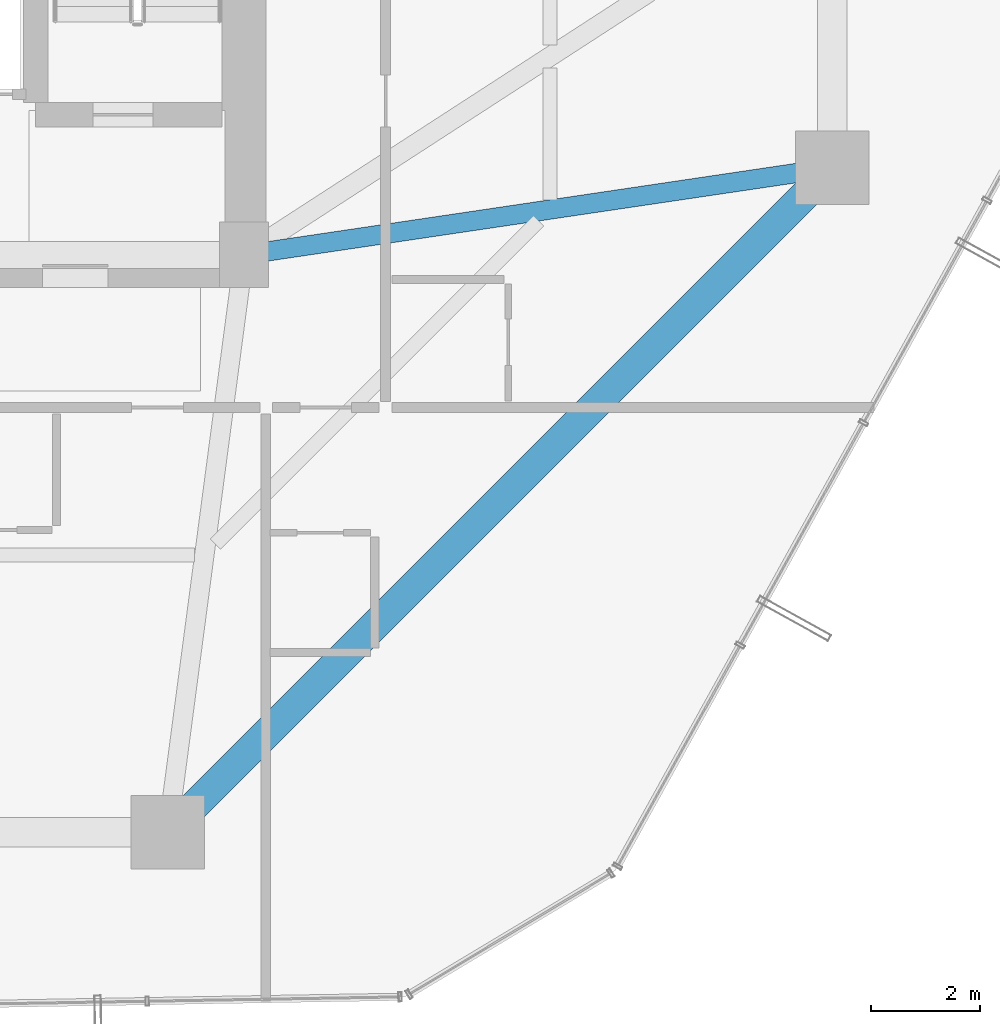
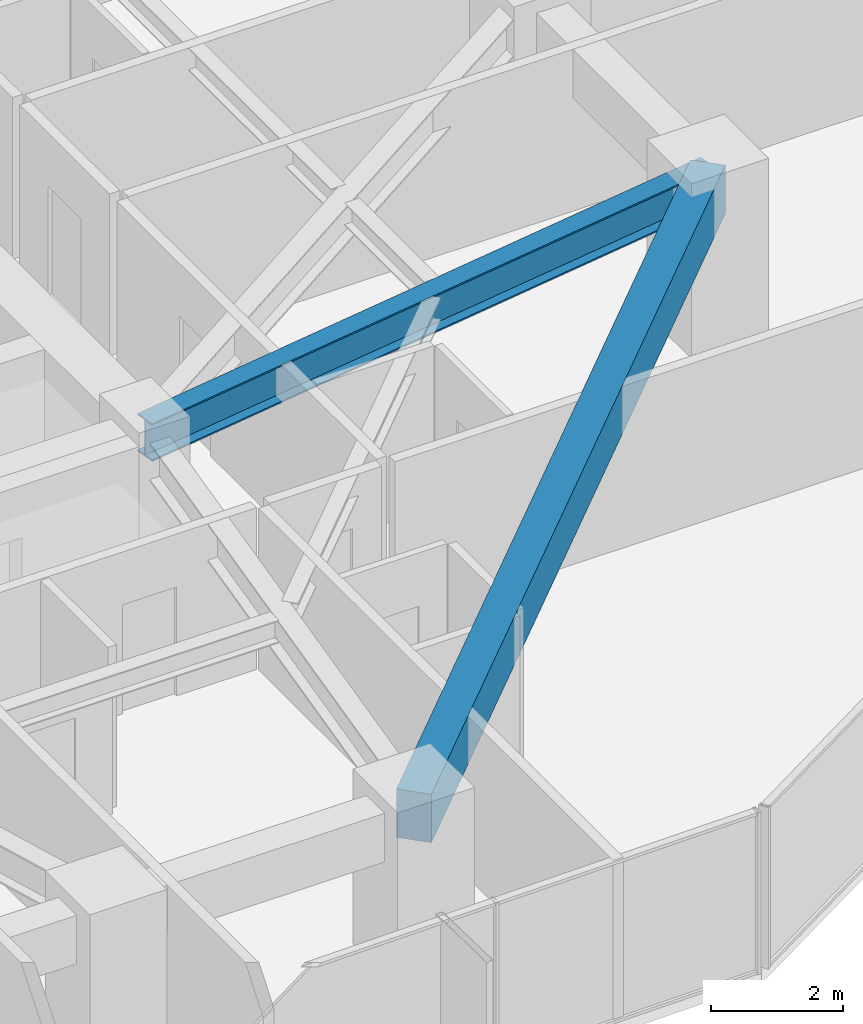
# One storey, part 15 of 39: 2 beams.
"""IFC4 building model written with IfcOpenShell, lengths in metres."""

from ifc_helpers import new_model, si_unit, direction, frame, origin, origin_2d, place, context, subcontext, project, spatial, rectangle, i_section, extrude, material, material_profile, profile_set, type_object, element, save


model = new_model("IFC4")

# Units and contexts
model_context = context("Model", 3, precision=1e-05, world=origin(), true_north=direction((0.0, 1.0)))
body_context = subcontext(model_context, "Body", "Model", "MODEL_VIEW")
ifc_project = project(units=[si_unit("LENGTHUNIT", "METRE"), si_unit("AREAUNIT", "SQUARE_METRE"), si_unit("VOLUMEUNIT", "CUBIC_METRE"), si_unit("PLANEANGLEUNIT", "RADIAN"), si_unit("MASSUNIT", "GRAM", prefix="KILO")], contexts=[model_context])

# Site, building, storey
site_placement = place(None, origin())
site = spatial("IfcSite", under=ifc_project, at=site_placement, CompositionType="ELEMENT")
building_placement = place(site_placement, origin())
building = spatial("IfcBuilding", under=site, at=building_placement, Name="Veraguas Prism Commons", CompositionType="ELEMENT")
storey_placement = place(building_placement, frame((0.0, 0.0, 27.300048828125)))
storey = spatial("IfcBuildingStorey", under=building, at=storey_placement, Name="L06", CompositionType="ELEMENT", Elevation=27.300048828125)

# Beams
ifc_material_1 = material(Name="Concrete C50/60", Category="concrete")
ifc_material_profile_1 = material_profile(ifc_material_1, rectangle(XDim=0.550048828125, YDim=0.89990234375, at=origin_2d()), Name="RC550X900")
ifc_profile_set_1 = profile_set([ifc_material_profile_1], Name="Concrete C50/60")
beam_type_1 = type_object("IfcBeamType", Name="Perimeter Spandrel Lower RC 550x900", PredefinedType="SPANDREL", material=ifc_profile_set_1)
beam_1_placement = place(storey_placement, frame((29.39990234375, 6.39990234375, 2.550048828125), z_axis=(0.707106781187, 0.707106781187, 0.0), x_axis=(-0.707106781187, 0.707106781187, 0.0)))
element("IfcBeam", 1, at=beam_1_placement, inside=storey, type_object=beam_type_1, Name="Perimeter Spandrel Beam L06-SP12", PredefinedType="SPANDREL", context=body_context, shape_type="SweptSolid", body=[
    extrude(rectangle(XDim=0.550048828125, YDim=0.89990234375, at=origin_2d()), origin(), (0.0, 0.0, 1.0), 17.253662109375),
])
ifc_material_2 = material(Name="Steel ASTM A992 Grade 50", Category="steel")
ifc_material_profile_2 = material_profile(ifc_material_2, i_section(OverallWidth=0.35595703125, OverallDepth=0.700927734375, WebThickness=0.016845703125, FlangeThickness=0.02734375, at=origin_2d()), Name="W690X240")
ifc_profile_set_2 = profile_set([ifc_material_profile_2], Name="Steel ASTM A992 Grade 50")
beam_type_2 = type_object("IfcBeamType", Name="Zone 1 Radial Girder W690x240", PredefinedType="BEAM", material=ifc_profile_set_2)
beam_2_placement = place(storey_placement, frame((41.60009765625, 18.60009765625, 2.6494140625), z_axis=(-0.989202261707, -0.146556765224, 0.0), x_axis=(0.146556765224, -0.989202261707, 0.0)))
element("IfcBeam", 2, at=beam_2_placement, inside=storey, type_object=beam_type_2, Name="Radial Floor Girder L06-RD01", PredefinedType="BEAM", context=body_context, shape_type="SweptSolid", body=[
    extrude(i_section(OverallWidth=0.35595703125, OverallDepth=0.700927734375, WebThickness=0.016845703125, FlangeThickness=0.02734375, at=origin_2d()), origin(), (0.0, 0.0, 1.0), 10.91796875),
])

save(model, "model.ifc")
